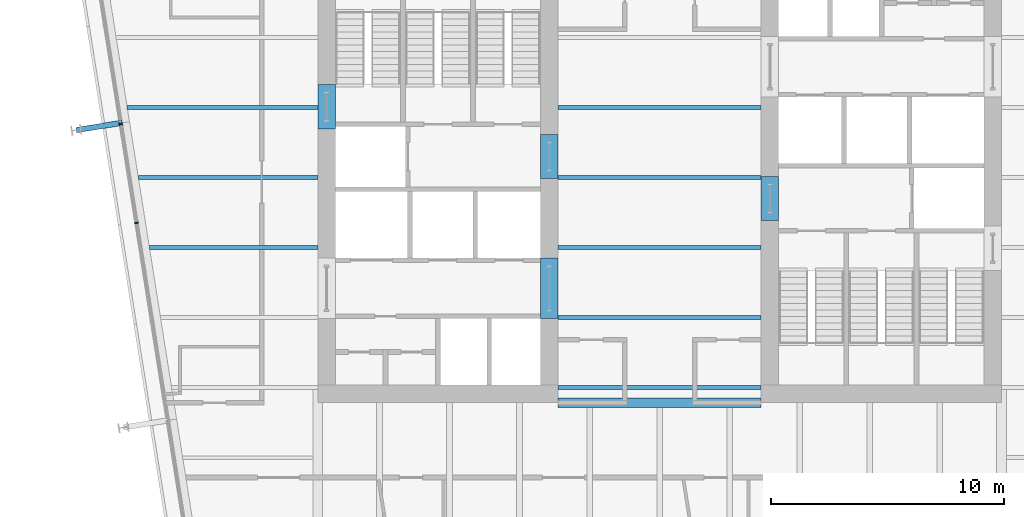
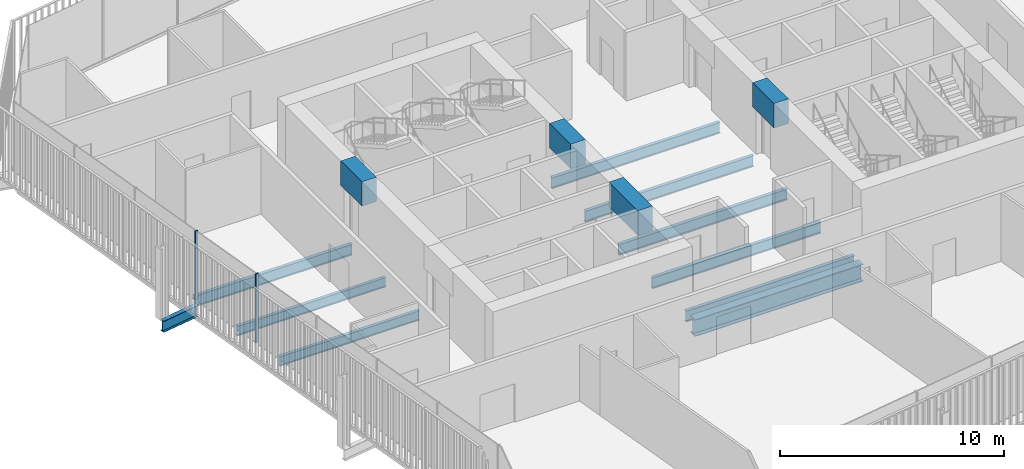
# One storey, part 6 of 21: 14 beams, 2 members, 1 element without a shape of its own.
"""IFC4 building model written with IfcOpenShell, lengths in metres."""

import ifcopenshell
import ifcopenshell.guid

model = None  # the IFC model being written
_history = None  # IfcOwnerHistory: only IFC2X3 demands one
_inside = {}  # id of a spatial element -> (the spatial element, [elements in it])
_under = {}  # id of a project, library or spatial element -> (it, [spatial elements below it])
_declared = {}  # id of a project -> (the project, [libraries it declares])
_typed = {}  # id of a type object -> (the type object, [elements of that type])
_made_of = {}  # id of a material, layer set ... -> (it, [elements and type objects made of it])


def new_model(schema):
    """Start an empty IFC model of exactly this schema.

    Asked for "IFC4X3", IfcOpenShell would pick the latest addendum, in which some entities
    have other attributes; the version numbers below select the first issue.
    IFC2X3 requires an IfcOwnerHistory on every rooted entity: one is made here for all.
    """
    global model, _history
    if schema == "IFC4X3":
        model = ifcopenshell.file(schema_version=(4, 3, 0, 0))
    else:
        model = ifcopenshell.file(schema=schema)
    _inside.clear()
    _under.clear()
    _declared.clear()
    _typed.clear()
    _made_of.clear()
    _history = None
    if model.schema == "IFC2X3":
        org = make("IfcOrganization", Name="unknown")
        user = make(
            "IfcPersonAndOrganization",
            ThePerson=make("IfcPerson", FamilyName="unknown"),
            TheOrganization=org,
        )
        app = make(
            "IfcApplication",
            ApplicationDeveloper=org,
            Version="unknown",
            ApplicationFullName="unknown",
            ApplicationIdentifier="unknown",
        )
        _history = make(
            "IfcOwnerHistory",
            OwningUser=user,
            OwningApplication=app,
            ChangeAction="ADDED",
            CreationDate=0,
        )
    return model


def make(cls, **values):
    """One entity of the class cls with the attributes given. An attribute that is None is left unset."""
    return model.create_entity(
        cls, **{name: value for name, value in values.items() if value is not None}
    )


def rooted(cls, **values):
    """An entity with a GlobalId (a new one), such as an element, a storey or a relation."""
    return make(cls, GlobalId=ifcopenshell.guid.new(), OwnerHistory=_history, **values)


def si_unit(unit_type, name, prefix=None):
    """IfcSIUnit, for example si_unit("LENGTHUNIT", "METRE", prefix="MILLI")."""
    return make("IfcSIUnit", UnitType=unit_type, Prefix=prefix, Name=name)


def assignment(units):
    """IfcUnitAssignment: the units of a project."""
    return None if units is None else make("IfcUnitAssignment", Units=units)


def point(xyz):
    """IfcCartesianPoint."""
    return None if xyz is None else make("IfcCartesianPoint", Coordinates=xyz)


def direction(xyz):
    """IfcDirection."""
    return None if xyz is None else make("IfcDirection", DirectionRatios=xyz)


def frame(location, z_axis=None, x_axis=None):
    """IfcAxis2Placement3D, a coordinate frame: its origin and axes. An axis left out is left unset."""
    return make(
        "IfcAxis2Placement3D",
        Location=point(location),
        Axis=direction(z_axis),
        RefDirection=direction(x_axis),
    )


def frame_2d(location, x_axis=None):
    """IfcAxis2Placement2D, a coordinate frame in the plane: its origin and x axis."""
    return make(
        "IfcAxis2Placement2D", Location=point(location), RefDirection=direction(x_axis)
    )


def origin():
    """The frame at (0, 0, 0) with its axes left unset."""
    return frame((0.0, 0.0, 0.0))


def origin_2d():
    """The frame at (0, 0) in the plane with its x axis left unset."""
    return frame_2d((0.0, 0.0))


def place(relative_to, where):
    """IfcLocalPlacement: puts the frame where relative to a parent placement (None: the world)."""
    return make(
        "IfcLocalPlacement", PlacementRelTo=relative_to, RelativePlacement=where
    )


def context(
    kind, dimensions, precision=None, world=None, true_north=None, identifier=None
):
    """IfcGeometricRepresentationContext, for example the 3D "Model" context."""
    return make(
        "IfcGeometricRepresentationContext",
        ContextIdentifier=identifier,
        ContextType=kind,
        CoordinateSpaceDimension=dimensions,
        Precision=precision,
        WorldCoordinateSystem=world,
        TrueNorth=true_north,
    )


def subcontext(parent, identifier, kind, view, scale=None):
    """IfcGeometricRepresentationSubContext, for example "Body" below "Model"."""
    return make(
        "IfcGeometricRepresentationSubContext",
        ContextIdentifier=identifier,
        ContextType=kind,
        ParentContext=parent,
        TargetScale=scale,
        TargetView=view,
    )


def project(units=None, contexts=None):
    """IfcProject with its units and contexts."""
    return rooted(
        "IfcProject",
        Name="project",
        RepresentationContexts=contexts,
        UnitsInContext=assignment(units),
    )


def spatial(cls, under=None, at=None, **own):
    """A site, building, storey or space (cls), placed at a placement, below another one or the project."""
    s = rooted(cls, ObjectPlacement=at, **own)
    if under is not None:
        _under.setdefault(under.id(), (under, []))[1].append(s)
    return s


def profile(cls, at=None, kind="AREA", **sizes):
    """A parametric profile (cls). Its sizes go by their IFC names, for example OverallWidth=200.0."""
    return make(cls, ProfileType=kind, Position=at, **sizes)


def rectangle(**sizes):
    """IfcRectangleProfileDef."""
    return profile("IfcRectangleProfileDef", **sizes)


def i_section(**sizes):
    """IfcIShapeProfileDef."""
    return profile("IfcIShapeProfileDef", **sizes)


def extrude(swept, where, along, depth):
    """IfcExtrudedAreaSolid: the profile swept, set in the frame where, extruded along a direction by depth."""
    return make(
        "IfcExtrudedAreaSolid",
        SweptArea=swept,
        Position=where,
        ExtrudedDirection=direction(along),
        Depth=depth,
    )


def shape(context_of_items, identifier, shape_type, items):
    """IfcShapeRepresentation: the items that make up one representation, for example the "Body"."""
    return make(
        "IfcShapeRepresentation",
        ContextOfItems=context_of_items,
        RepresentationIdentifier=identifier,
        RepresentationType=shape_type,
        Items=items,
    )


def material(Name=None, Category=None):
    """IfcMaterial."""
    return make("IfcMaterial", Name=Name, Category=Category)


def layer(
    of_material, thickness, ventilated=None, Name=None, Category=None, Priority=None
):
    """IfcMaterialLayer: one layer of a wall or slab, of a material (None: an air gap)."""
    return make(
        "IfcMaterialLayer",
        Material=of_material,
        LayerThickness=thickness,
        IsVentilated=ventilated,
        Name=Name,
        Category=Category,
        Priority=Priority,
    )


def layer_set(layers, Name=None):
    """IfcMaterialLayerSet."""
    return make("IfcMaterialLayerSet", MaterialLayers=layers, LayerSetName=Name)


def material_profile(
    of_material, cross_section, Name=None, Category=None, Priority=None
):
    """IfcMaterialProfile: a cross section and its material."""
    return make(
        "IfcMaterialProfile",
        Name=Name,
        Material=of_material,
        Profile=cross_section,
        Priority=Priority,
        Category=Category,
    )


def profile_set(profiles, Name=None, composite=None):
    """IfcMaterialProfileSet."""
    return make(
        "IfcMaterialProfileSet",
        Name=Name,
        MaterialProfiles=profiles,
        CompositeProfile=composite,
    )


def made_of(thing, what):
    """Note that an element or type object is made of a material, layer set ...; save() writes the relation."""
    if what is not None:
        _made_of.setdefault(what.id(), (what, []))[1].append(thing)
    return thing


def type_object(cls, material=None, **own):
    """A type object (cls), such as IfcWallType, which elements share."""
    return made_of(rooted(cls, **own), material)


def element(
    cls,
    number,
    at=None,
    inside=None,
    cuts=None,
    type_object=None,
    material=None,
    context=None,
    identifier="Body",
    shape_type=None,
    held_by="IfcProductDefinitionShape",
    body=None,
    shapes=None,
    **own,
):
    """One element of the class cls, such as IfcWall. Its Tag is "e" and its number.

    at: its placement. inside: the storey or other place that contains it. cuts: it is an
    opening in that element (IfcRelVoidsElement). A single representation is given by context,
    identifier, shape_type and body (its items); several are given by shapes. held_by: the class
    of the entity that holds the representations. save() writes the other relations.
    """
    e = rooted(cls, Tag="e%d" % number, ObjectPlacement=at, **own)
    if body is not None:
        shapes = [shape(context, identifier, shape_type, body)]
    if shapes is not None:
        e.Representation = make(held_by, Representations=shapes)
    if inside is not None:
        _inside.setdefault(inside.id(), (inside, []))[1].append(e)
    if cuts is not None:
        rooted(
            "IfcRelVoidsElement", RelatingBuildingElement=cuts, RelatedOpeningElement=e
        )
    if type_object is not None:
        _typed.setdefault(type_object.id(), (type_object, []))[1].append(e)
    return made_of(e, material)


def aggregate(whole, parts):
    """IfcRelAggregates: a whole, such as a stair, and the parts it consists of."""
    return rooted("IfcRelAggregates", RelatingObject=whole, RelatedObjects=parts)


def save(model, path):
    """Write the relations noted so far, then the file.

    IfcRelAggregates (storeys below a building ...), IfcRelContainedInSpatialStructure (elements
    in a storey), IfcRelDefinesByType, IfcRelAssociatesMaterial and IfcRelDeclares: one each for
    every whole, place, type object, material and project.
    """
    for whole, parts in _under.values():
        aggregate(whole, parts)
    for where, things in _inside.values():
        rooted(
            "IfcRelContainedInSpatialStructure",
            RelatedElements=things,
            RelatingStructure=where,
        )
    for kind, things in _typed.values():
        rooted("IfcRelDefinesByType", RelatedObjects=things, RelatingType=kind)
    for what, things in _made_of.values():
        rooted("IfcRelAssociatesMaterial", RelatedObjects=things, RelatingMaterial=what)
    for by, libraries in _declared.values():
        rooted("IfcRelDeclares", RelatingContext=by, RelatedDefinitions=libraries)
    model.write(path)


model = new_model("IFC4")

# Units and contexts
model_context = context("Model", 3, precision=1e-05, world=origin(), true_north=direction((0.0, 1.0)))
body_context = subcontext(model_context, "Body", "Model", "MODEL_VIEW")
ifc_project = project(units=[si_unit("LENGTHUNIT", "METRE"), si_unit("AREAUNIT", "SQUARE_METRE"), si_unit("VOLUMEUNIT", "CUBIC_METRE"), si_unit("PLANEANGLEUNIT", "RADIAN"), si_unit("MASSUNIT", "GRAM", prefix="KILO")], contexts=[model_context])

# Site, building, storey
site_placement = place(None, origin())
site = spatial("IfcSite", under=ifc_project, at=site_placement, CompositionType="ELEMENT")
building_placement = place(site_placement, origin())
building = spatial("IfcBuilding", under=site, at=building_placement, Name="Millrace Tower", CompositionType="ELEMENT")
storey_placement = place(building_placement, frame((0.0, 0.0, 164.60009765625)))
storey = spatial("IfcBuildingStorey", under=building, at=storey_placement, Name="L37", CompositionType="ELEMENT", Elevation=164.60009765625)

# Curtain wall, members
ifc_material_1 = material(Name="Aluminium and glass", Category="aluminium")
ifc_layer = layer(ifc_material_1, 0.14990234375)
ifc_layer_set = layer_set([ifc_layer], Name="Aluminium and glass")
curtain_wall_type = type_object("IfcCurtainWallType", Name="CW-1 office vision curtain wall", PredefinedType="NOTDEFINED", material=ifc_layer_set)
curtain_wall_placement = place(storey_placement, origin())
curtain_wall = element("IfcCurtainWall", 1, at=curtain_wall_placement, inside=storey, type_object=curtain_wall_type, Name="Curtain wall C-F08 L37", PredefinedType="NOTDEFINED")
ifc_material_2 = material(Name="Aluminium", Category="aluminium")
ifc_material_profile_1 = material_profile(ifc_material_2, rectangle(XDim=0.06494140625, YDim=0.14990234375, at=origin_2d()))
ifc_profile_set_1 = profile_set([ifc_material_profile_1], Name="Aluminium")
member_type = type_object("IfcMemberType", Name="CW-1 office vision curtain wall mullion", PredefinedType="MULLION", material=ifc_profile_set_1)
member_1_placement = place(storey_placement, frame((-23.088623046875, 2.300537109375, 0.139892578125), z_axis=(0.0, 0.0, 1.0), x_axis=(0.15643447328, -0.98768833929, 0.0)))
member_1 = element("IfcMember", 2, at=member_1_placement, type_object=member_type, Name="CW1 mullion C-F08.4", PredefinedType="MULLION", context=body_context, shape_type="SweptSolid", body=[
    extrude(rectangle(XDim=0.06494140625, YDim=0.14990234375, at=origin_2d()), origin(), (0.0, 0.0, 1.0), 3.760009765625),
])
member_2_placement = place(storey_placement, frame((-22.416015625, -1.946533203125, 0.139892578125), z_axis=(0.0, 0.0, 1.0), x_axis=(0.15643447328, -0.98768833929, 0.0)))
member_2 = element("IfcMember", 3, at=member_2_placement, type_object=member_type, Name="CW1 mullion C-F08.5", PredefinedType="MULLION", context=body_context, shape_type="SweptSolid", body=[
    extrude(rectangle(XDim=0.06494140625, YDim=0.14990234375, at=origin_2d()), origin(), (0.0, 0.0, 1.0), 3.760009765625),
])
aggregate(curtain_wall, [member_1, member_2])

# Beams
ifc_material_3 = material(Name="Concrete C70", Category="concrete")
ifc_material_profile_2 = material_profile(ifc_material_3, rectangle(XDim=0.75, YDim=1.340087890625, at=origin_2d()))
ifc_profile_set_2 = profile_set([ifc_material_profile_2], Name="Concrete C70")
beam_type_1 = type_object("IfcBeamType", Name="Coupling beam 750 x 1340 Concrete C70, 1300 opening", PredefinedType="BEAM", material=ifc_profile_set_2)
beam_1_placement = place(storey_placement, frame((-14.27490234375, 2.080078125, 3.06982421875), z_axis=(0.0, 1.0, 0.0), x_axis=(-1.0, 0.0, 0.0)))
element("IfcBeam", 4, at=beam_1_placement, inside=storey, type_object=beam_type_1, Name="Coupling beam W L37", PredefinedType="BEAM", context=body_context, shape_type="SweptSolid", body=[
    extrude(rectangle(XDim=0.75, YDim=1.340087890625, at=origin_2d()), origin(), (0.0, 0.0, 1.0), 1.89990234375),
])
for number, where, z_axis, x_axis, name in (
    (5, (-4.72509765625, -0.050048828125, 3.06982421875), (0.0, 1.0, 0.0), (-1.0, 0.0, 0.0), "Coupling beam W L37"),
    (6, (4.72509765625, 0.050048828125, 3.06982421875), (0.0, -1.0, 0.0), (1.0, 0.0, 0.0), "Coupling beam E L37"),
):
    element("IfcBeam", number, at=place(storey_placement, frame(where, z_axis=z_axis, x_axis=x_axis)), inside=storey, type_object=beam_type_1, Name=name, PredefinedType="BEAM", context=body_context, shape_type="SweptSolid", body=[
        extrude(rectangle(XDim=0.75, YDim=1.340087890625, at=origin_2d()), origin(), (0.0, 0.0, 1.0), 1.900146484375),
    ])
ifc_material_4 = material(Name="Concrete C70", Category="concrete")
ifc_material_profile_3 = material_profile(ifc_material_4, rectangle(XDim=0.75, YDim=1.340087890625, at=origin_2d()))
ifc_profile_set_3 = profile_set([ifc_material_profile_3], Name="Concrete C70")
beam_type_2 = type_object("IfcBeamType", Name="Coupling beam 750 x 1340 Concrete C70, 2000 opening", PredefinedType="BEAM", material=ifc_profile_set_3)
beam_2_placement = place(storey_placement, frame((-4.72509765625, -6.050048828125, 3.06982421875), z_axis=(0.0, 1.0, 0.0), x_axis=(-1.0, 0.0, 0.0)))
element("IfcBeam", 7, at=beam_2_placement, inside=storey, type_object=beam_type_2, Name="Coupling beam W L37", PredefinedType="BEAM", context=body_context, shape_type="SweptSolid", body=[
    extrude(rectangle(XDim=0.75, YDim=1.340087890625, at=origin_2d()), origin(), (0.0, 0.0, 1.0), 2.60009765625),
])
ifc_material_5 = material(Name="Steel ASTM A992 Grade 50", Category="steel")
ifc_material_profile_4 = material_profile(ifc_material_5, i_section(OverallWidth=0.1650390625, OverallDepth=0.52587890625, WebThickness=0.0087890625, FlangeThickness=0.011474609375, FilletRadius=0.0126953125, at=origin_2d()))
ifc_profile_set_4 = profile_set([ifc_material_profile_4], Name="Steel ASTM A992 Grade 50")
beam_type_3 = type_object("IfcBeamType", Name="Floor beam W21x44", PredefinedType="JOIST", material=ifc_profile_set_4)
beam_3_placement = place(storey_placement, frame((-21.862060546875, -3.0, -0.423095703125), z_axis=(1.0, 0.0, 0.0), x_axis=(0.0, 1.0, 0.0)))
element("IfcBeam", 8, at=beam_3_placement, inside=storey, type_object=beam_type_3, Name="BM-C-L37-S1-S017", PredefinedType="JOIST", context=body_context, shape_type="SweptSolid", body=[
    extrude(i_section(OverallWidth=0.1650390625, OverallDepth=0.52587890625, WebThickness=0.0087890625, FlangeThickness=0.011474609375, FilletRadius=0.0126953125, at=origin_2d()), origin(), (0.0, 0.0, 1.0), 7.212158203125),
])
beam_4_placement = place(storey_placement, frame((-22.337158203125, 0.0, -0.423095703125), z_axis=(1.0, 0.0, 0.0), x_axis=(0.0, 1.0, 0.0)))
element("IfcBeam", 9, at=beam_4_placement, inside=storey, type_object=beam_type_3, Name="BM-C-L37-S1-S020", PredefinedType="JOIST", context=body_context, shape_type="SweptSolid", body=[
    extrude(i_section(OverallWidth=0.1650390625, OverallDepth=0.52587890625, WebThickness=0.0087890625, FlangeThickness=0.011474609375, FilletRadius=0.0126953125, at=origin_2d()), origin(), (0.0, 0.0, 1.0), 7.687255859375),
])
ifc_material_6 = material(Name="Steel ASTM A992 Grade 50", Category="steel")
ifc_material_profile_5 = material_profile(ifc_material_6, i_section(OverallWidth=0.177978515625, OverallDepth=0.599365234375, WebThickness=0.010009765625, FlangeThickness=0.012939453125, FilletRadius=0.012939453125, at=origin_2d()))
ifc_profile_set_5 = profile_set([ifc_material_profile_5], Name="Steel ASTM A992 Grade 50")
beam_type_4 = type_object("IfcBeamType", Name="Floor beam W24x55", PredefinedType="JOIST", material=ifc_profile_set_5)
for number, where, z_axis, x_axis, name in (
    (10, (-4.35009765625, -9.0, -0.459716796875), (1.0, 0.0, 0.0), (0.0, 1.0, 0.0), "BM-C-L37-S1-S010"),
    (11, (-4.35009765625, -6.0, -0.459716796875), (1.0, 0.0, 0.0), (0.0, 1.0, 0.0), "BM-C-L37-S1-S013"),
    (12, (-4.35009765625, -3.0, -0.459716796875), (1.0, 0.0, 0.0), (0.0, 1.0, 0.0), "BM-C-L37-S1-S016"),
    (13, (-4.35009765625, 0.0, -0.459716796875), (1.0, 0.0, 0.0), (0.0, 1.0, 0.0), "BM-C-L37-S1-S019"),
    (14, (-4.35009765625, 3.0, -0.459716796875), (1.0, 0.0, 0.0), (0.0, 1.0, 0.0), "BM-C-L37-S1-S022"),
):
    element("IfcBeam", number, at=place(storey_placement, frame(where, z_axis=z_axis, x_axis=x_axis)), inside=storey, type_object=beam_type_4, Name=name, PredefinedType="JOIST", context=body_context, shape_type="SweptSolid", body=[
        extrude(i_section(OverallWidth=0.177978515625, OverallDepth=0.599365234375, WebThickness=0.010009765625, FlangeThickness=0.012939453125, FilletRadius=0.012939453125, at=origin_2d()), origin(), (0.0, 0.0, 1.0), 8.7001953125),
    ])
beam_5_placement = place(storey_placement, frame((-22.812255859375, 3.0, -0.459716796875), z_axis=(1.0, 0.0, 0.0), x_axis=(0.0, 1.0, 0.0)))
element("IfcBeam", 15, at=beam_5_placement, inside=storey, type_object=beam_type_4, Name="BM-C-L37-S1-S023", PredefinedType="JOIST", context=body_context, shape_type="SweptSolid", body=[
    extrude(i_section(OverallWidth=0.177978515625, OverallDepth=0.599365234375, WebThickness=0.010009765625, FlangeThickness=0.012939453125, FilletRadius=0.012939453125, at=origin_2d()), origin(), (0.0, 0.0, 1.0), 8.162353515625),
])
ifc_material_7 = material(Name="Steel ASTM A992 Grade 50", Category="steel")
ifc_material_profile_6 = material_profile(ifc_material_7, i_section(OverallWidth=0.419189453125, OverallDepth=0.927001953125, WebThickness=0.019287109375, FlangeThickness=0.031982421875, FilletRadius=0.024169921875, at=origin_2d()))
ifc_profile_set_6 = profile_set([ifc_material_profile_6], Name="Steel ASTM A992 Grade 50")
beam_type_5 = type_object("IfcBeamType", Name="Girder short span W36x231", PredefinedType="BEAM", material=ifc_profile_set_6)
beam_6_placement = place(storey_placement, frame((-4.35009765625, -9.64990234375, -0.62353515625), z_axis=(1.0, 0.0, 0.0), x_axis=(0.0, 1.0, 0.0)))
element("IfcBeam", 16, at=beam_6_placement, inside=storey, type_object=beam_type_5, Name="BM-C-L37-S1-G062", PredefinedType="BEAM", context=body_context, shape_type="SweptSolid", body=[
    extrude(i_section(OverallWidth=0.419189453125, OverallDepth=0.927001953125, WebThickness=0.019287109375, FlangeThickness=0.031982421875, FilletRadius=0.024169921875, at=origin_2d()), origin(), (0.0, 0.0, 1.0), 8.7001953125),
])
ifc_material_8 = material(Name="Steel ASTM A992 Grade 50", Category="steel")
ifc_material_profile_7 = material_profile(ifc_material_8, i_section(OverallWidth=0.23046875, OverallDepth=0.6171875, WebThickness=0.01318359375, FlangeThickness=0.022216796875, FilletRadius=0.012939453125, at=origin_2d()))
ifc_profile_set_7 = profile_set([ifc_material_profile_7], Name="Steel ASTM A992 Grade 50")
beam_type_6 = type_object("IfcBeamType", Name="Link beam W24x94", PredefinedType="BEAM", material=ifc_profile_set_7)
beam_7_placement = place(storey_placement, frame((-23.019775390625, 2.344482421875, -0.46875), z_axis=(-0.987678691416, -0.156495375404, 0.0), x_axis=(0.156495375404, -0.987678691416, 0.0)))
element("IfcBeam", 17, at=beam_7_placement, inside=storey, type_object=beam_type_6, Name="LNK-C-L37-S1-03", PredefinedType="BEAM", context=body_context, shape_type="SweptSolid", body=[
    extrude(i_section(OverallWidth=0.23046875, OverallDepth=0.6171875, WebThickness=0.01318359375, FlangeThickness=0.022216796875, FilletRadius=0.012939453125, at=origin_2d()), origin(), (0.0, 0.0, 1.0), 2.0),
])

save(model, "model.ifc")
